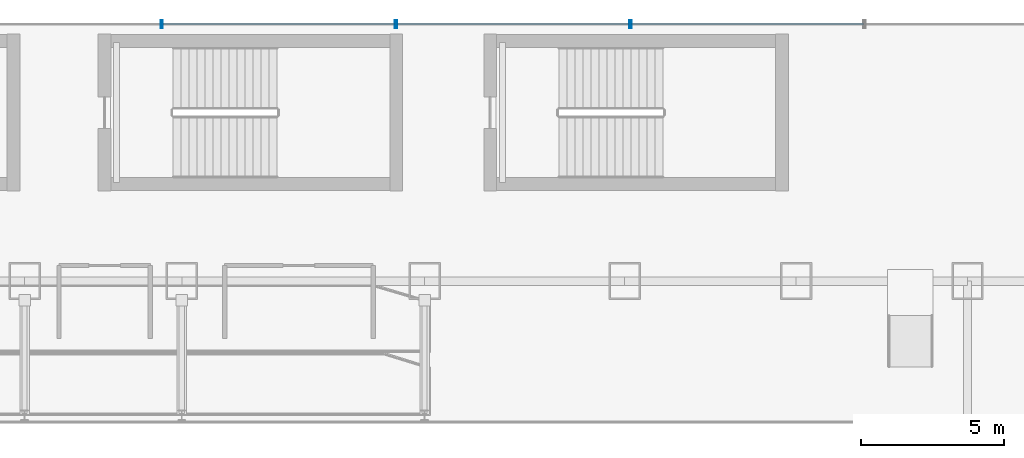
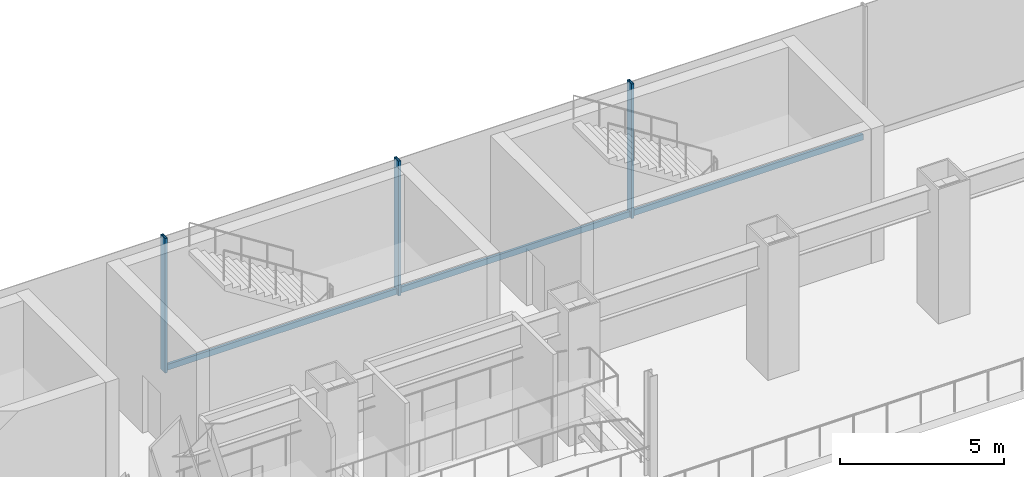
# One storey, part 17 of 40: 6 members, 1 element without a shape of its own.
"""IFC4 building model written with IfcOpenShell, lengths in metres."""

from ifc_helpers import new_model, si_unit, derived_unit, direction, frame, origin, origin_2d, place, context, subcontext, project, spatial, hollow_rectangle, extrude, source, transform, mapped, material, material_profile, profile_set, type_object, element, aggregate, save


model = new_model("IFC4")

# Units and contexts
model_context = context("Model", 3, precision=1e-05, world=origin(), true_north=direction((0.0, 1.0)))
body_context = subcontext(model_context, "Body", "Model", "MODEL_VIEW")
ifc_project = project(units=[si_unit("LENGTHUNIT", "METRE"), si_unit("AREAUNIT", "SQUARE_METRE"), si_unit("VOLUMEUNIT", "CUBIC_METRE"), si_unit("PLANEANGLEUNIT", "RADIAN"), si_unit("MASSUNIT", "GRAM", prefix="KILO"), derived_unit("THERMALTRANSMITTANCEUNIT", [(si_unit("POWERUNIT", "WATT"), 1), (si_unit("LENGTHUNIT", "METRE"), -2), (si_unit("THERMODYNAMICTEMPERATUREUNIT", "KELVIN"), -1)])], contexts=[model_context])

# Site, building, storey
site_placement = place(None, origin())
site = spatial("IfcSite", under=ifc_project, at=site_placement, CompositionType="ELEMENT")
building_placement = place(site_placement, origin())
building = spatial("IfcBuilding", under=site, at=building_placement, Name="Skarnbrae Concourse Arena and Tower", CompositionType="ELEMENT")
storey_placement = place(building_placement, frame((0.0, 0.0, 6.0)))
storey = spatial("IfcBuildingStorey", under=building, at=storey_placement, Name="L01", CompositionType="ELEMENT", Elevation=6.0)

# Curtain wall, members
ifc_material = material(Name="Bronze anodised aluminium 6063-T6", Category="aluminium")
curtain_wall_type = type_object("IfcCurtainWallType", Name="CW-SYS-01-PODIUM", PredefinedType="USERDEFINED", material=ifc_material)
curtain_wall_placement = place(storey_placement, origin())
curtain_wall = element("IfcCurtainWall", 1, at=curtain_wall_placement, inside=storey, type_object=curtain_wall_type, Name="L01 Unitised curtain wall CW-L01-N", ObjectType="UNITISED CURTAIN WALL", PredefinedType="USERDEFINED")
ifc_material_profile_1 = material_profile(ifc_material, hollow_rectangle(XDim=0.0849609375, YDim=0.280029296875, WallThickness=0.006103515625, at=origin_2d()), Name="ALU-MULL-85X280")
ifc_profile_set_1 = profile_set([ifc_material_profile_1], Name="Bronze anodised aluminium 6063-T6")
member_type_1 = type_object("IfcMemberType", Name="CWM-CW-01", PredefinedType="MULLION", material=ifc_profile_set_1)
shared_shape_1 = source(origin(), body_context, "Body", "SweptSolid", [
    extrude(hollow_rectangle(XDim=0.0849609375, YDim=0.280029296875, WallThickness=0.006103515625, at=origin_2d()), origin(), (0.0, 0.0, 1.0), 5.0),
])
member_1_placement = place(storey_placement, frame((49.199951171875, 56.0, 0.0), z_axis=(0.0, 0.0, 1.0), x_axis=(-1.0, 0.0, 0.0)))
member_1 = element("IfcMember", 2, at=member_1_placement, type_object=member_type_1, Name="CW-L01-N Mullion 5", PredefinedType="MULLION", context=body_context, shape_type="MappedRepresentation", body=[
    mapped(shared_shape_1, transform((0.0, 0.0, 0.0))),
])
member_2_placement = place(storey_placement, frame((41.0, 56.0, 0.0), z_axis=(0.0, 0.0, 1.0), x_axis=(-1.0, 0.0, 0.0)))
member_2 = element("IfcMember", 3, at=member_2_placement, type_object=member_type_1, Name="CW-L01-N Mullion 6", PredefinedType="MULLION", context=body_context, shape_type="MappedRepresentation", body=[
    mapped(shared_shape_1, transform((0.0, 0.0, 0.0))),
])
member_3_placement = place(storey_placement, frame((32.800048828125, 56.0, 0.0), z_axis=(0.0, 0.0, 1.0), x_axis=(-1.0, 0.0, 0.0)))
member_3 = element("IfcMember", 4, at=member_3_placement, type_object=member_type_1, Name="CW-L01-N Mullion 7", PredefinedType="MULLION", context=body_context, shape_type="MappedRepresentation", body=[
    mapped(shared_shape_1, transform((0.0, 0.0, 0.0))),
])
ifc_material_profile_2 = material_profile(ifc_material, hollow_rectangle(XDim=0.0849609375, YDim=0.219970703125, WallThickness=0.006103515625, at=origin_2d()), Name="ALU-TRAN-85X220")
ifc_profile_set_2 = profile_set([ifc_material_profile_2], Name="Bronze anodised aluminium 6063-T6")
member_type_2 = type_object("IfcMemberType", Name="CWT-CW-01", PredefinedType="USERDEFINED", material=ifc_profile_set_2)
shared_shape_2 = source(origin(), body_context, "Body", "SweptSolid", [
    extrude(hollow_rectangle(XDim=0.0849609375, YDim=0.219970703125, WallThickness=0.006103515625, at=origin_2d()), origin(), (0.0, 0.0, 1.0), 8.114990234375),
])
member_4_placement = place(storey_placement, frame((57.357421875, 56.0, 0.110107421875), z_axis=(-1.0, 0.0, 0.0), x_axis=(0.0, -1.0, 0.0)))
member_4 = element("IfcMember", 5, at=member_4_placement, type_object=member_type_2, Name="CW-L01-N Transom 4", ObjectType="TRANSOM", PredefinedType="USERDEFINED", context=body_context, shape_type="MappedRepresentation", body=[
    mapped(shared_shape_2, transform((0.0, 0.0, 0.0))),
])
member_5_placement = place(storey_placement, frame((49.157470703125, 56.0, 0.110107421875), z_axis=(-1.0, 0.0, 0.0), x_axis=(0.0, -1.0, 0.0)))
member_5 = element("IfcMember", 6, at=member_5_placement, type_object=member_type_2, Name="CW-L01-N Transom 5", ObjectType="TRANSOM", PredefinedType="USERDEFINED", context=body_context, shape_type="MappedRepresentation", body=[
    mapped(shared_shape_2, transform((0.0, 0.0, 0.0))),
])
member_6_placement = place(storey_placement, frame((40.95751953125, 56.0, 0.110107421875), z_axis=(-1.0, 0.0, 0.0), x_axis=(0.0, -1.0, 0.0)))
member_6 = element("IfcMember", 7, at=member_6_placement, type_object=member_type_2, Name="CW-L01-N Transom 6", ObjectType="TRANSOM", PredefinedType="USERDEFINED", context=body_context, shape_type="MappedRepresentation", body=[
    mapped(shared_shape_2, transform((0.0, 0.0, 0.0))),
])
aggregate(curtain_wall, [member_1, member_2, member_3, member_4, member_5, member_6])

save(model, "model.ifc")
